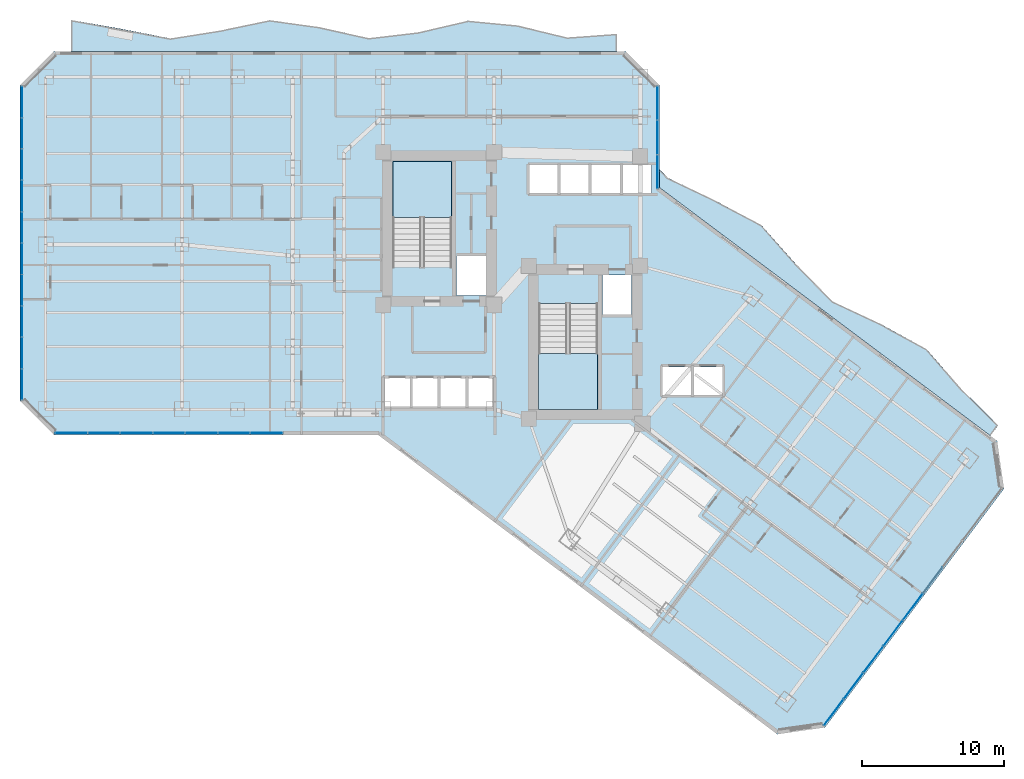
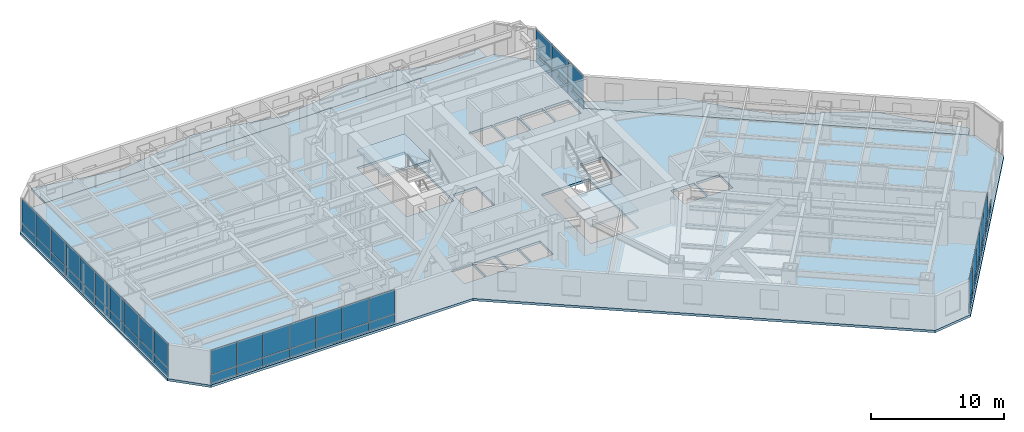
# One storey, part 20 of 33: 51 plates, 5 slabs, 6 elements without a shape of their own.
"""IFC4 building model written with IfcOpenShell, lengths in metres."""

from ifc_helpers import new_model, si_unit, direction, frame, origin, origin_2d, place, context, subcontext, project, spatial, polyline, rectangle, outline, extrude, material, layer, layer_set, type_object, element, aggregate, save


model = new_model("IFC4")

# Units and contexts
model_context = context("Model", 3, precision=1e-05, world=origin(), true_north=direction((0.0, 1.0)))
body_context = subcontext(model_context, "Body", "Model", "MODEL_VIEW")
ifc_project = project(units=[si_unit("LENGTHUNIT", "METRE"), si_unit("AREAUNIT", "SQUARE_METRE"), si_unit("VOLUMEUNIT", "CUBIC_METRE"), si_unit("PLANEANGLEUNIT", "RADIAN"), si_unit("MASSUNIT", "GRAM", prefix="KILO")], contexts=[model_context])

# Site, building, storey
site_placement = place(None, origin())
site = spatial("IfcSite", under=ifc_project, at=site_placement, CompositionType="ELEMENT")
building_placement = place(site_placement, origin())
building = spatial("IfcBuilding", under=site, at=building_placement, Name="Hatsunagi Terrace Concourse", CompositionType="ELEMENT")
storey_placement = place(building_placement, frame((0.0, 0.0, 43.300048828125)))
storey = spatial("IfcBuildingStorey", under=building, at=storey_placement, Name="L10", CompositionType="ELEMENT", Elevation=43.300048828125)

# Curtain wall, plates
ifc_material_1 = material(Name="Anodised Aluminium Alloy 6063-T5", Category="aluminium")
ifc_layer_1 = layer(ifc_material_1, 0.199951171875)
ifc_layer_set_1 = layer_set([ifc_layer_1], Name="HotelFacade_CW02")
curtain_wall_type = type_object("IfcCurtainWallType", Name="HotelFacade_CW02", PredefinedType="NOTDEFINED", material=ifc_layer_set_1)
curtain_wall_1_placement = place(storey_placement, origin())
curtain_wall_1 = element("IfcCurtainWall", 1, at=curtain_wall_1_placement, inside=storey, type_object=curtain_wall_type, Name="Unitised Curtain Wall CW-02 CW-L10-03", PredefinedType="NOTDEFINED")
ifc_material_2 = material(Name="Warm Terracotta Ceramic Spandrel Panel", Category="masonry")
ifc_layer_2 = layer(ifc_material_2, 0.031982421875)
ifc_layer_set_2 = layer_set([ifc_layer_2], Name="CurtainWallSpandrelPanel_32")
plate_type_1 = type_object("IfcPlateType", Name="CurtainWallSpandrelPanel_32", PredefinedType="SHEET", material=ifc_layer_set_2)
plate_1_placement = place(storey_placement, frame((64.219970703125, 13.159912109375, 0.030029296875), z_axis=(0.0, 0.0, 1.0), x_axis=(-0.599969314634, -0.800023013105, 0.0)))
plate_1 = element("IfcPlate", 2, at=plate_1_placement, type_object=plate_type_1, Name="Terracotta Spandrel Panel SPN-01", PredefinedType="SHEET", context=body_context, shape_type="SweptSolid", body=[
    extrude(rectangle(XDim=2.264892578125, YDim=0.031982421875, at=origin_2d()), origin(), (0.0, 0.0, 1.0), 0.7900390625),
])
plate_2_placement = place(storey_placement, frame((62.827880859375, 11.303955078125, 0.030029296875), z_axis=(0.0, 0.0, 1.0), x_axis=(-0.599969314634, -0.800023013105, 0.0)))
plate_2 = element("IfcPlate", 3, at=plate_2_placement, type_object=plate_type_1, Name="Terracotta Spandrel Panel SPN-01", PredefinedType="SHEET", context=body_context, shape_type="SweptSolid", body=[
    extrude(rectangle(XDim=2.264892578125, YDim=0.031982421875, at=origin_2d()), origin(), (0.0, 0.0, 1.0), 0.7900390625),
])
plate_3_placement = place(storey_placement, frame((61.43603515625, 9.447998046875, 0.030029296875), z_axis=(0.0, 0.0, 1.0), x_axis=(-0.599969314634, -0.800023013105, 0.0)))
plate_3 = element("IfcPlate", 4, at=plate_3_placement, type_object=plate_type_1, Name="Terracotta Spandrel Panel SPN-01", PredefinedType="SHEET", context=body_context, shape_type="SweptSolid", body=[
    extrude(rectangle(XDim=2.264892578125, YDim=0.031982421875, at=origin_2d()), origin(), (0.0, 0.0, 1.0), 0.7900390625),
])
plate_4_placement = place(storey_placement, frame((60.0439453125, 7.591064453125, 0.030029296875), z_axis=(0.0, 0.0, 1.0), x_axis=(-0.599969314634, -0.800023013105, 0.0)))
plate_4 = element("IfcPlate", 5, at=plate_4_placement, type_object=plate_type_1, Name="Terracotta Spandrel Panel SPN-01", PredefinedType="SHEET", context=body_context, shape_type="SweptSolid", body=[
    extrude(rectangle(XDim=2.264892578125, YDim=0.031982421875, at=origin_2d()), origin(), (0.0, 0.0, 1.0), 0.7900390625),
])
plate_5_placement = place(storey_placement, frame((58.65087890625, 5.735107421875, 0.030029296875), z_axis=(0.0, 0.0, 1.0), x_axis=(-0.599969314634, -0.800023013105, 0.0)))
plate_5 = element("IfcPlate", 6, at=plate_5_placement, type_object=plate_type_1, Name="Terracotta Spandrel Panel SPN-01", PredefinedType="SHEET", context=body_context, shape_type="SweptSolid", body=[
    extrude(rectangle(XDim=2.264892578125, YDim=0.031982421875, at=origin_2d()), origin(), (0.0, 0.0, 1.0), 0.7900390625),
])
plate_6_placement = place(storey_placement, frame((57.259033203125, 3.8779296875, 0.030029296875), z_axis=(0.0, 0.0, 1.0), x_axis=(-0.599969314634, -0.800023013105, 0.0)))
plate_6 = element("IfcPlate", 7, at=plate_6_placement, type_object=plate_type_1, Name="Terracotta Spandrel Panel SPN-01", PredefinedType="SHEET", context=body_context, shape_type="SweptSolid", body=[
    extrude(rectangle(XDim=2.264892578125, YDim=0.031982421875, at=origin_2d()), origin(), (0.0, 0.0, 1.0), 0.7900390625),
])

curtain_wall_2_placement = place(storey_placement, origin())
curtain_wall_2 = element("IfcCurtainWall", 8, at=curtain_wall_2_placement, inside=storey, type_object=curtain_wall_type, Name="Unitised Curtain Wall CW-02 CW-L10-07", PredefinedType="NOTDEFINED")
plate_7_placement = place(storey_placement, frame((17.35400390625, 23.5400390625, 0.030029296875), z_axis=(0.0, 0.0, 1.0), x_axis=(-1.0, 0.0, 0.0)))
plate_7 = element("IfcPlate", 9, at=plate_7_placement, type_object=plate_type_1, Name="Terracotta Spandrel Panel SPN-01", PredefinedType="SHEET", context=body_context, shape_type="SweptSolid", body=[
    extrude(rectangle(XDim=2.237060546875, YDim=0.031982421875, at=origin_2d()), origin(), (0.0, 0.0, 1.0), 0.7900390625),
])
plate_8_placement = place(storey_placement, frame((15.06201171875, 23.5400390625, 0.030029296875), z_axis=(0.0, 0.0, 1.0), x_axis=(-1.0, 0.0, 0.0)))
plate_8 = element("IfcPlate", 10, at=plate_8_placement, type_object=plate_type_1, Name="Terracotta Spandrel Panel SPN-01", PredefinedType="SHEET", context=body_context, shape_type="SweptSolid", body=[
    extrude(rectangle(XDim=2.237060546875, YDim=0.031982421875, at=origin_2d()), origin(), (0.0, 0.0, 1.0), 0.7900390625),
])
plate_9_placement = place(storey_placement, frame((12.77099609375, 23.5400390625, 0.030029296875), z_axis=(0.0, 0.0, 1.0), x_axis=(-1.0, 0.0, 0.0)))
plate_9 = element("IfcPlate", 11, at=plate_9_placement, type_object=plate_type_1, Name="Terracotta Spandrel Panel SPN-01", PredefinedType="SHEET", context=body_context, shape_type="SweptSolid", body=[
    extrude(rectangle(XDim=2.237060546875, YDim=0.031982421875, at=origin_2d()), origin(), (0.0, 0.0, 1.0), 0.7900390625),
])
plate_10_placement = place(storey_placement, frame((10.47900390625, 23.5400390625, 0.030029296875), z_axis=(0.0, 0.0, 1.0), x_axis=(-1.0, 0.0, 0.0)))
plate_10 = element("IfcPlate", 12, at=plate_10_placement, type_object=plate_type_1, Name="Terracotta Spandrel Panel SPN-01", PredefinedType="SHEET", context=body_context, shape_type="SweptSolid", body=[
    extrude(rectangle(XDim=2.237060546875, YDim=0.031982421875, at=origin_2d()), origin(), (0.0, 0.0, 1.0), 0.7900390625),
])
plate_11_placement = place(storey_placement, frame((8.18701171875, 23.5400390625, 0.030029296875), z_axis=(0.0, 0.0, 1.0), x_axis=(-1.0, 0.0, 0.0)))
plate_11 = element("IfcPlate", 13, at=plate_11_placement, type_object=plate_type_1, Name="Terracotta Spandrel Panel SPN-01", PredefinedType="SHEET", context=body_context, shape_type="SweptSolid", body=[
    extrude(rectangle(XDim=2.237060546875, YDim=0.031982421875, at=origin_2d()), origin(), (0.0, 0.0, 1.0), 0.7900390625),
])
plate_12_placement = place(storey_placement, frame((5.89599609375, 23.5400390625, 0.030029296875), z_axis=(0.0, 0.0, 1.0), x_axis=(-1.0, 0.0, 0.0)))
plate_12 = element("IfcPlate", 14, at=plate_12_placement, type_object=plate_type_1, Name="Terracotta Spandrel Panel SPN-01", PredefinedType="SHEET", context=body_context, shape_type="SweptSolid", body=[
    extrude(rectangle(XDim=2.237060546875, YDim=0.031982421875, at=origin_2d()), origin(), (0.0, 0.0, 1.0), 0.7900390625),
])
plate_13_placement = place(storey_placement, frame((3.60400390625, 23.5400390625, 0.030029296875), z_axis=(0.0, 0.0, 1.0), x_axis=(-1.0, 0.0, 0.0)))
plate_13 = element("IfcPlate", 15, at=plate_13_placement, type_object=plate_type_1, Name="Terracotta Spandrel Panel SPN-01", PredefinedType="SHEET", context=body_context, shape_type="SweptSolid", body=[
    extrude(rectangle(XDim=2.237060546875, YDim=0.031982421875, at=origin_2d()), origin(), (0.0, 0.0, 1.0), 0.7900390625),
])

curtain_wall_3_placement = place(storey_placement, origin())
curtain_wall_3 = element("IfcCurtainWall", 16, at=curtain_wall_3_placement, inside=storey, type_object=curtain_wall_type, Name="Unitised Curtain Wall CW-02 CW-L10-09", PredefinedType="NOTDEFINED")
plate_14_placement = place(storey_placement, frame((0.139892578125, 26.9619140625, 0.030029296875), z_axis=(0.0, 0.0, 1.0), x_axis=(0.0, 1.0, 0.0)))
plate_14 = element("IfcPlate", 17, at=plate_14_placement, type_object=plate_type_1, Name="Terracotta Spandrel Panel SPN-01", PredefinedType="SHEET", context=body_context, shape_type="SweptSolid", body=[
    extrude(rectangle(XDim=2.153076171875, YDim=0.031982421875, at=origin_2d()), origin(), (0.0, 0.0, 1.0), 0.7900390625),
])
plate_15_placement = place(storey_placement, frame((0.139892578125, 29.1708984375, 0.030029296875), z_axis=(0.0, 0.0, 1.0), x_axis=(0.0, 1.0, 0.0)))
plate_15 = element("IfcPlate", 18, at=plate_15_placement, type_object=plate_type_1, Name="Terracotta Spandrel Panel SPN-01", PredefinedType="SHEET", context=body_context, shape_type="SweptSolid", body=[
    extrude(rectangle(XDim=2.153076171875, YDim=0.031982421875, at=origin_2d()), origin(), (0.0, 0.0, 1.0), 0.7900390625),
])
plate_16_placement = place(storey_placement, frame((0.139892578125, 31.37890625, 0.030029296875), z_axis=(0.0, 0.0, 1.0), x_axis=(0.0, 1.0, 0.0)))
plate_16 = element("IfcPlate", 19, at=plate_16_placement, type_object=plate_type_1, Name="Terracotta Spandrel Panel SPN-01", PredefinedType="SHEET", context=body_context, shape_type="SweptSolid", body=[
    extrude(rectangle(XDim=2.153076171875, YDim=0.031982421875, at=origin_2d()), origin(), (0.0, 0.0, 1.0), 0.7900390625),
])
plate_17_placement = place(storey_placement, frame((0.139892578125, 33.5869140625, 0.030029296875), z_axis=(0.0, 0.0, 1.0), x_axis=(0.0, 1.0, 0.0)))
plate_17 = element("IfcPlate", 20, at=plate_17_placement, type_object=plate_type_1, Name="Terracotta Spandrel Panel SPN-01", PredefinedType="SHEET", context=body_context, shape_type="SweptSolid", body=[
    extrude(rectangle(XDim=2.153076171875, YDim=0.031982421875, at=origin_2d()), origin(), (0.0, 0.0, 1.0), 0.7900390625),
])
plate_18_placement = place(storey_placement, frame((0.139892578125, 35.7958984375, 0.030029296875), z_axis=(0.0, 0.0, 1.0), x_axis=(0.0, 1.0, 0.0)))
plate_18 = element("IfcPlate", 21, at=plate_18_placement, type_object=plate_type_1, Name="Terracotta Spandrel Panel SPN-01", PredefinedType="SHEET", context=body_context, shape_type="SweptSolid", body=[
    extrude(rectangle(XDim=2.153076171875, YDim=0.031982421875, at=origin_2d()), origin(), (0.0, 0.0, 1.0), 0.7900390625),
])
plate_19_placement = place(storey_placement, frame((0.139892578125, 38.00390625, 0.030029296875), z_axis=(0.0, 0.0, 1.0), x_axis=(0.0, 1.0, 0.0)))
plate_19 = element("IfcPlate", 22, at=plate_19_placement, type_object=plate_type_1, Name="Terracotta Spandrel Panel SPN-01", PredefinedType="SHEET", context=body_context, shape_type="SweptSolid", body=[
    extrude(rectangle(XDim=2.153076171875, YDim=0.031982421875, at=origin_2d()), origin(), (0.0, 0.0, 1.0), 0.7900390625),
])
plate_20_placement = place(storey_placement, frame((0.139892578125, 40.212890625, 0.030029296875), z_axis=(0.0, 0.0, 1.0), x_axis=(0.0, 1.0, 0.0)))
plate_20 = element("IfcPlate", 23, at=plate_20_placement, type_object=plate_type_1, Name="Terracotta Spandrel Panel SPN-01", PredefinedType="SHEET", context=body_context, shape_type="SweptSolid", body=[
    extrude(rectangle(XDim=2.153076171875, YDim=0.031982421875, at=origin_2d()), origin(), (0.0, 0.0, 1.0), 0.7900390625),
])
plate_21_placement = place(storey_placement, frame((0.139892578125, 42.4208984375, 0.030029296875), z_axis=(0.0, 0.0, 1.0), x_axis=(0.0, 1.0, 0.0)))
plate_21 = element("IfcPlate", 24, at=plate_21_placement, type_object=plate_type_1, Name="Terracotta Spandrel Panel SPN-01", PredefinedType="SHEET", context=body_context, shape_type="SweptSolid", body=[
    extrude(rectangle(XDim=2.153076171875, YDim=0.031982421875, at=origin_2d()), origin(), (0.0, 0.0, 1.0), 0.7900390625),
])
plate_22_placement = place(storey_placement, frame((0.139892578125, 44.62890625, 0.030029296875), z_axis=(0.0, 0.0, 1.0), x_axis=(0.0, 1.0, 0.0)))
plate_22 = element("IfcPlate", 25, at=plate_22_placement, type_object=plate_type_1, Name="Terracotta Spandrel Panel SPN-01", PredefinedType="SHEET", context=body_context, shape_type="SweptSolid", body=[
    extrude(rectangle(XDim=2.153076171875, YDim=0.031982421875, at=origin_2d()), origin(), (0.0, 0.0, 1.0), 0.7900390625),
])
plate_23_placement = place(storey_placement, frame((0.139892578125, 46.837890625, 0.030029296875), z_axis=(0.0, 0.0, 1.0), x_axis=(0.0, 1.0, 0.0)))
plate_23 = element("IfcPlate", 26, at=plate_23_placement, type_object=plate_type_1, Name="Terracotta Spandrel Panel SPN-01", PredefinedType="SHEET", context=body_context, shape_type="SweptSolid", body=[
    extrude(rectangle(XDim=2.153076171875, YDim=0.031982421875, at=origin_2d()), origin(), (0.0, 0.0, 1.0), 0.7900390625),
])

curtain_wall_4_placement = place(storey_placement, origin())
curtain_wall_4 = element("IfcCurtainWall", 27, at=curtain_wall_4_placement, inside=storey, type_object=curtain_wall_type, Name="Unitised Curtain Wall CW-02 CW-L10-13", PredefinedType="NOTDEFINED")
plate_24_placement = place(storey_placement, frame((44.860107421875, 46.739990234375, 0.030029296875), z_axis=(0.0, 0.0, 1.0), x_axis=(0.0, -1.0, 0.0)))
plate_24 = element("IfcPlate", 28, at=plate_24_placement, type_object=plate_type_1, Name="Terracotta Spandrel Panel SPN-01", PredefinedType="SHEET", context=body_context, shape_type="SweptSolid", body=[
    extrude(rectangle(XDim=2.34912109375, YDim=0.031982421875, at=origin_2d()), origin(), (0.0, 0.0, 1.0), 0.7900390625),
])
plate_25_placement = place(storey_placement, frame((44.860107421875, 44.3359375, 0.030029296875), z_axis=(0.0, 0.0, 1.0), x_axis=(0.0, -1.0, 0.0)))
plate_25 = element("IfcPlate", 29, at=plate_25_placement, type_object=plate_type_1, Name="Terracotta Spandrel Panel SPN-01", PredefinedType="SHEET", context=body_context, shape_type="SweptSolid", body=[
    extrude(rectangle(XDim=2.34912109375, YDim=0.031982421875, at=origin_2d()), origin(), (0.0, 0.0, 1.0), 0.7900390625),
])
plate_26_placement = place(storey_placement, frame((44.860107421875, 41.931884765625, 0.030029296875), z_axis=(0.0, 0.0, 1.0), x_axis=(0.0, -1.0, 0.0)))
plate_26 = element("IfcPlate", 30, at=plate_26_placement, type_object=plate_type_1, Name="Terracotta Spandrel Panel SPN-01", PredefinedType="SHEET", context=body_context, shape_type="SweptSolid", body=[
    extrude(rectangle(XDim=2.34912109375, YDim=0.031982421875, at=origin_2d()), origin(), (0.0, 0.0, 1.0), 0.7900390625),
])

# Plate
ifc_material_3 = material(Name="Low-E Double Insulating Glass 28mm", Category="glass")
ifc_layer_3 = layer(ifc_material_3, 0.028076171875)
ifc_layer_set_3 = layer_set([ifc_layer_3], Name="CurtainWallVisionGlass_28")
plate_type_2 = type_object("IfcPlateType", Name="CurtainWallVisionGlass_28", PredefinedType="CURTAIN_PANEL", material=ifc_layer_set_3)
plate_27_placement = place(storey_placement, frame((62.827880859375, 11.303955078125, 0.8798828125), z_axis=(0.0, 0.0, 1.0), x_axis=(-0.599969314634, -0.800023013105, 0.0)))
plate_27 = element("IfcPlate", 31, at=plate_27_placement, type_object=plate_type_2, Name="Low-E Vision Glass Panel GLZ-01", PredefinedType="CURTAIN_PANEL", context=body_context, shape_type="SweptSolid", body=[
    extrude(rectangle(XDim=2.264892578125, YDim=0.028076171875, at=origin_2d()), origin(), (0.0, 0.0, 1.0), 2.219970703125),
])

plate_28_placement = place(storey_placement, frame((61.43603515625, 9.447998046875, 0.8798828125), z_axis=(0.0, 0.0, 1.0), x_axis=(-0.599969314634, -0.800023013105, 0.0)))
plate_28 = element("IfcPlate", 32, at=plate_28_placement, type_object=plate_type_2, Name="Low-E Vision Glass Panel GLZ-01", PredefinedType="CURTAIN_PANEL", context=body_context, shape_type="SweptSolid", body=[
    extrude(rectangle(XDim=2.264892578125, YDim=0.028076171875, at=origin_2d()), origin(), (0.0, 0.0, 1.0), 2.219970703125),
])

plate_29_placement = place(storey_placement, frame((60.0439453125, 7.591064453125, 0.8798828125), z_axis=(0.0, 0.0, 1.0), x_axis=(-0.599969314634, -0.800023013105, 0.0)))
plate_29 = element("IfcPlate", 33, at=plate_29_placement, type_object=plate_type_2, Name="Low-E Vision Glass Panel GLZ-01", PredefinedType="CURTAIN_PANEL", context=body_context, shape_type="SweptSolid", body=[
    extrude(rectangle(XDim=2.264892578125, YDim=0.028076171875, at=origin_2d()), origin(), (0.0, 0.0, 1.0), 2.219970703125),
])

plate_30_placement = place(storey_placement, frame((58.65087890625, 5.735107421875, 0.8798828125), z_axis=(0.0, 0.0, 1.0), x_axis=(-0.599969314634, -0.800023013105, 0.0)))
plate_30 = element("IfcPlate", 34, at=plate_30_placement, type_object=plate_type_2, Name="Low-E Vision Glass Panel GLZ-01", PredefinedType="CURTAIN_PANEL", context=body_context, shape_type="SweptSolid", body=[
    extrude(rectangle(XDim=2.264892578125, YDim=0.028076171875, at=origin_2d()), origin(), (0.0, 0.0, 1.0), 2.219970703125),
])

plate_31_placement = place(storey_placement, frame((57.259033203125, 3.8779296875, 0.8798828125), z_axis=(0.0, 0.0, 1.0), x_axis=(-0.599969314634, -0.800023013105, 0.0)))
plate_31 = element("IfcPlate", 35, at=plate_31_placement, type_object=plate_type_2, Name="Low-E Vision Glass Panel GLZ-01", PredefinedType="CURTAIN_PANEL", context=body_context, shape_type="SweptSolid", body=[
    extrude(rectangle(XDim=2.264892578125, YDim=0.028076171875, at=origin_2d()), origin(), (0.0, 0.0, 1.0), 2.219970703125),
])

aggregate(curtain_wall_1, [plate_1, plate_2, plate_27, plate_3, plate_28, plate_4, plate_29, plate_5, plate_30, plate_6, plate_31])

plate_32_placement = place(storey_placement, frame((17.35400390625, 23.5400390625, 0.8798828125), z_axis=(0.0, 0.0, 1.0), x_axis=(-1.0, 0.0, 0.0)))
plate_32 = element("IfcPlate", 36, at=plate_32_placement, type_object=plate_type_2, Name="Low-E Vision Glass Panel GLZ-01", PredefinedType="CURTAIN_PANEL", context=body_context, shape_type="SweptSolid", body=[
    extrude(rectangle(XDim=2.237060546875, YDim=0.028076171875, at=origin_2d()), origin(), (0.0, 0.0, 1.0), 2.219970703125),
])

plate_33_placement = place(storey_placement, frame((15.06201171875, 23.5400390625, 0.8798828125), z_axis=(0.0, 0.0, 1.0), x_axis=(-1.0, 0.0, 0.0)))
plate_33 = element("IfcPlate", 37, at=plate_33_placement, type_object=plate_type_2, Name="Low-E Vision Glass Panel GLZ-01", PredefinedType="CURTAIN_PANEL", context=body_context, shape_type="SweptSolid", body=[
    extrude(rectangle(XDim=2.237060546875, YDim=0.028076171875, at=origin_2d()), origin(), (0.0, 0.0, 1.0), 2.219970703125),
])

plate_34_placement = place(storey_placement, frame((12.77099609375, 23.5400390625, 0.8798828125), z_axis=(0.0, 0.0, 1.0), x_axis=(-1.0, 0.0, 0.0)))
plate_34 = element("IfcPlate", 38, at=plate_34_placement, type_object=plate_type_2, Name="Low-E Vision Glass Panel GLZ-01", PredefinedType="CURTAIN_PANEL", context=body_context, shape_type="SweptSolid", body=[
    extrude(rectangle(XDim=2.237060546875, YDim=0.028076171875, at=origin_2d()), origin(), (0.0, 0.0, 1.0), 2.219970703125),
])

plate_35_placement = place(storey_placement, frame((10.47900390625, 23.5400390625, 0.8798828125), z_axis=(0.0, 0.0, 1.0), x_axis=(-1.0, 0.0, 0.0)))
plate_35 = element("IfcPlate", 39, at=plate_35_placement, type_object=plate_type_2, Name="Low-E Vision Glass Panel GLZ-01", PredefinedType="CURTAIN_PANEL", context=body_context, shape_type="SweptSolid", body=[
    extrude(rectangle(XDim=2.237060546875, YDim=0.028076171875, at=origin_2d()), origin(), (0.0, 0.0, 1.0), 2.219970703125),
])

plate_36_placement = place(storey_placement, frame((8.18701171875, 23.5400390625, 0.8798828125), z_axis=(0.0, 0.0, 1.0), x_axis=(-1.0, 0.0, 0.0)))
plate_36 = element("IfcPlate", 40, at=plate_36_placement, type_object=plate_type_2, Name="Low-E Vision Glass Panel GLZ-01", PredefinedType="CURTAIN_PANEL", context=body_context, shape_type="SweptSolid", body=[
    extrude(rectangle(XDim=2.237060546875, YDim=0.028076171875, at=origin_2d()), origin(), (0.0, 0.0, 1.0), 2.219970703125),
])

plate_37_placement = place(storey_placement, frame((5.89599609375, 23.5400390625, 0.8798828125), z_axis=(0.0, 0.0, 1.0), x_axis=(-1.0, 0.0, 0.0)))
plate_37 = element("IfcPlate", 41, at=plate_37_placement, type_object=plate_type_2, Name="Low-E Vision Glass Panel GLZ-01", PredefinedType="CURTAIN_PANEL", context=body_context, shape_type="SweptSolid", body=[
    extrude(rectangle(XDim=2.237060546875, YDim=0.028076171875, at=origin_2d()), origin(), (0.0, 0.0, 1.0), 2.219970703125),
])

plate_38_placement = place(storey_placement, frame((3.60400390625, 23.5400390625, 0.8798828125), z_axis=(0.0, 0.0, 1.0), x_axis=(-1.0, 0.0, 0.0)))
plate_38 = element("IfcPlate", 42, at=plate_38_placement, type_object=plate_type_2, Name="Low-E Vision Glass Panel GLZ-01", PredefinedType="CURTAIN_PANEL", context=body_context, shape_type="SweptSolid", body=[
    extrude(rectangle(XDim=2.237060546875, YDim=0.028076171875, at=origin_2d()), origin(), (0.0, 0.0, 1.0), 2.219970703125),
])

aggregate(curtain_wall_2, [plate_7, plate_32, plate_8, plate_33, plate_9, plate_34, plate_10, plate_35, plate_11, plate_36, plate_12, plate_37, plate_13, plate_38])

plate_39_placement = place(storey_placement, frame((0.139892578125, 26.9619140625, 0.8798828125), z_axis=(0.0, 0.0, 1.0), x_axis=(0.0, 1.0, 0.0)))
plate_39 = element("IfcPlate", 43, at=plate_39_placement, type_object=plate_type_2, Name="Low-E Vision Glass Panel GLZ-01", PredefinedType="CURTAIN_PANEL", context=body_context, shape_type="SweptSolid", body=[
    extrude(rectangle(XDim=2.153076171875, YDim=0.028076171875, at=origin_2d()), origin(), (0.0, 0.0, 1.0), 2.219970703125),
])

plate_40_placement = place(storey_placement, frame((0.139892578125, 29.1708984375, 0.8798828125), z_axis=(0.0, 0.0, 1.0), x_axis=(0.0, 1.0, 0.0)))
plate_40 = element("IfcPlate", 44, at=plate_40_placement, type_object=plate_type_2, Name="Low-E Vision Glass Panel GLZ-01", PredefinedType="CURTAIN_PANEL", context=body_context, shape_type="SweptSolid", body=[
    extrude(rectangle(XDim=2.153076171875, YDim=0.028076171875, at=origin_2d()), origin(), (0.0, 0.0, 1.0), 2.219970703125),
])

plate_41_placement = place(storey_placement, frame((0.139892578125, 31.37890625, 0.8798828125), z_axis=(0.0, 0.0, 1.0), x_axis=(0.0, 1.0, 0.0)))
plate_41 = element("IfcPlate", 45, at=plate_41_placement, type_object=plate_type_2, Name="Low-E Vision Glass Panel GLZ-01", PredefinedType="CURTAIN_PANEL", context=body_context, shape_type="SweptSolid", body=[
    extrude(rectangle(XDim=2.153076171875, YDim=0.028076171875, at=origin_2d()), origin(), (0.0, 0.0, 1.0), 2.219970703125),
])

plate_42_placement = place(storey_placement, frame((0.139892578125, 33.5869140625, 0.8798828125), z_axis=(0.0, 0.0, 1.0), x_axis=(0.0, 1.0, 0.0)))
plate_42 = element("IfcPlate", 46, at=plate_42_placement, type_object=plate_type_2, Name="Low-E Vision Glass Panel GLZ-01", PredefinedType="CURTAIN_PANEL", context=body_context, shape_type="SweptSolid", body=[
    extrude(rectangle(XDim=2.153076171875, YDim=0.028076171875, at=origin_2d()), origin(), (0.0, 0.0, 1.0), 2.219970703125),
])

plate_43_placement = place(storey_placement, frame((0.139892578125, 35.7958984375, 0.8798828125), z_axis=(0.0, 0.0, 1.0), x_axis=(0.0, 1.0, 0.0)))
plate_43 = element("IfcPlate", 47, at=plate_43_placement, type_object=plate_type_2, Name="Low-E Vision Glass Panel GLZ-01", PredefinedType="CURTAIN_PANEL", context=body_context, shape_type="SweptSolid", body=[
    extrude(rectangle(XDim=2.153076171875, YDim=0.028076171875, at=origin_2d()), origin(), (0.0, 0.0, 1.0), 2.219970703125),
])

plate_44_placement = place(storey_placement, frame((0.139892578125, 38.00390625, 0.8798828125), z_axis=(0.0, 0.0, 1.0), x_axis=(0.0, 1.0, 0.0)))
plate_44 = element("IfcPlate", 48, at=plate_44_placement, type_object=plate_type_2, Name="Low-E Vision Glass Panel GLZ-01", PredefinedType="CURTAIN_PANEL", context=body_context, shape_type="SweptSolid", body=[
    extrude(rectangle(XDim=2.153076171875, YDim=0.028076171875, at=origin_2d()), origin(), (0.0, 0.0, 1.0), 2.219970703125),
])

plate_45_placement = place(storey_placement, frame((0.139892578125, 40.212890625, 0.8798828125), z_axis=(0.0, 0.0, 1.0), x_axis=(0.0, 1.0, 0.0)))
plate_45 = element("IfcPlate", 49, at=plate_45_placement, type_object=plate_type_2, Name="Low-E Vision Glass Panel GLZ-01", PredefinedType="CURTAIN_PANEL", context=body_context, shape_type="SweptSolid", body=[
    extrude(rectangle(XDim=2.153076171875, YDim=0.028076171875, at=origin_2d()), origin(), (0.0, 0.0, 1.0), 2.219970703125),
])

plate_46_placement = place(storey_placement, frame((0.139892578125, 42.4208984375, 0.8798828125), z_axis=(0.0, 0.0, 1.0), x_axis=(0.0, 1.0, 0.0)))
plate_46 = element("IfcPlate", 50, at=plate_46_placement, type_object=plate_type_2, Name="Low-E Vision Glass Panel GLZ-01", PredefinedType="CURTAIN_PANEL", context=body_context, shape_type="SweptSolid", body=[
    extrude(rectangle(XDim=2.153076171875, YDim=0.028076171875, at=origin_2d()), origin(), (0.0, 0.0, 1.0), 2.219970703125),
])

plate_47_placement = place(storey_placement, frame((0.139892578125, 44.62890625, 0.8798828125), z_axis=(0.0, 0.0, 1.0), x_axis=(0.0, 1.0, 0.0)))
plate_47 = element("IfcPlate", 51, at=plate_47_placement, type_object=plate_type_2, Name="Low-E Vision Glass Panel GLZ-01", PredefinedType="CURTAIN_PANEL", context=body_context, shape_type="SweptSolid", body=[
    extrude(rectangle(XDim=2.153076171875, YDim=0.028076171875, at=origin_2d()), origin(), (0.0, 0.0, 1.0), 2.219970703125),
])

plate_48_placement = place(storey_placement, frame((0.139892578125, 46.837890625, 0.8798828125), z_axis=(0.0, 0.0, 1.0), x_axis=(0.0, 1.0, 0.0)))
plate_48 = element("IfcPlate", 52, at=plate_48_placement, type_object=plate_type_2, Name="Low-E Vision Glass Panel GLZ-01", PredefinedType="CURTAIN_PANEL", context=body_context, shape_type="SweptSolid", body=[
    extrude(rectangle(XDim=2.153076171875, YDim=0.028076171875, at=origin_2d()), origin(), (0.0, 0.0, 1.0), 2.219970703125),
])

aggregate(curtain_wall_3, [plate_14, plate_39, plate_15, plate_40, plate_16, plate_41, plate_17, plate_42, plate_18, plate_43, plate_19, plate_44, plate_20, plate_45, plate_21, plate_46, plate_22, plate_47, plate_23, plate_48])

plate_49_placement = place(storey_placement, frame((44.860107421875, 46.739990234375, 0.8798828125), z_axis=(0.0, 0.0, 1.0), x_axis=(0.0, -1.0, 0.0)))
plate_49 = element("IfcPlate", 53, at=plate_49_placement, type_object=plate_type_2, Name="Low-E Vision Glass Panel GLZ-01", PredefinedType="CURTAIN_PANEL", context=body_context, shape_type="SweptSolid", body=[
    extrude(rectangle(XDim=2.34912109375, YDim=0.028076171875, at=origin_2d()), origin(), (0.0, 0.0, 1.0), 2.219970703125),
])

plate_50_placement = place(storey_placement, frame((44.860107421875, 44.3359375, 0.8798828125), z_axis=(0.0, 0.0, 1.0), x_axis=(0.0, -1.0, 0.0)))
plate_50 = element("IfcPlate", 54, at=plate_50_placement, type_object=plate_type_2, Name="Low-E Vision Glass Panel GLZ-01", PredefinedType="CURTAIN_PANEL", context=body_context, shape_type="SweptSolid", body=[
    extrude(rectangle(XDim=2.34912109375, YDim=0.028076171875, at=origin_2d()), origin(), (0.0, 0.0, 1.0), 2.219970703125),
])

plate_51_placement = place(storey_placement, frame((44.860107421875, 41.931884765625, 0.8798828125), z_axis=(0.0, 0.0, 1.0), x_axis=(0.0, -1.0, 0.0)))
plate_51 = element("IfcPlate", 55, at=plate_51_placement, type_object=plate_type_2, Name="Low-E Vision Glass Panel GLZ-01", PredefinedType="CURTAIN_PANEL", context=body_context, shape_type="SweptSolid", body=[
    extrude(rectangle(XDim=2.34912109375, YDim=0.028076171875, at=origin_2d()), origin(), (0.0, 0.0, 1.0), 2.219970703125),
])

aggregate(curtain_wall_4, [plate_24, plate_49, plate_25, plate_50, plate_26, plate_51])

# Stair, slab
ifc_material_4 = material(Name="Concrete Fc42", Category="concrete")
stair_type = type_object("IfcStairType", Name="DoglegExitStair_Tower2000_20R_168", PredefinedType="HALF_TURN_STAIR", material=ifc_material_4)
stair_1_placement = place(storey_placement, origin())
stair_1 = element("IfcStair", 56, at=stair_1_placement, inside=storey, type_object=stair_type, Name="L10 Core A Protected Exit Stair ST-A", PredefinedType="HALF_TURN_STAIR")
ifc_material_5 = material(Name="Concrete Fc42", Category="concrete")
ifc_layer_4 = layer(ifc_material_5, 0.199951171875)
ifc_layer_set_4 = layer_set([ifc_layer_4], Name="DoglegStairLanding_Tower2000")
slab_type_1 = type_object("IfcSlabType", Name="DoglegStairLanding_Tower2000", PredefinedType="LANDING", material=ifc_layer_set_4)
slab_1_placement = place(storey_placement, frame((0.0, 0.0, 1.474853515625)))
slab_1 = element("IfcSlab", 57, at=slab_1_placement, type_object=slab_type_1, Name="ST-A landing 1", PredefinedType="LANDING", context=body_context, shape_type="SweptSolid", body=[
    extrude(outline(polyline([(30.3798828125, 38.7099609375), (30.3798828125, 42.659912109375), (26.22998046875, 42.659912109375), (26.22998046875, 38.7099609375), (30.3798828125, 38.7099609375)])), origin(), (0.0, 0.0, 1.0), 0.2001953125),
])
aggregate(stair_1, [slab_1])

stair_2_placement = place(storey_placement, origin())
stair_2 = element("IfcStair", 58, at=stair_2_placement, inside=storey, type_object=stair_type, Name="L10 Core B Protected Exit Stair ST-B", PredefinedType="HALF_TURN_STAIR")
slab_2_placement = place(storey_placement, frame((0.0, 0.0, 1.474853515625)))
slab_2 = element("IfcSlab", 59, at=slab_2_placement, type_object=slab_type_1, Name="ST-B landing 1", PredefinedType="LANDING", context=body_context, shape_type="SweptSolid", body=[
    extrude(outline(polyline([(36.5, 29.14990234375), (36.5, 25.199951171875), (40.64990234375, 25.199951171875), (40.64990234375, 29.14990234375), (36.5, 29.14990234375)])), origin(), (0.0, 0.0, 1.0), 0.2001953125),
])
aggregate(stair_2, [slab_2])

# Slabs
ifc_material_6 = material(Name="Concrete Fc42", Category="concrete")
ifc_layer_5 = layer(ifc_material_6, 0.199951171875)
ifc_layer_set_5 = layer_set([ifc_layer_5], Name="EngawaBalconySlab_Fc42_200")
slab_type_2 = type_object("IfcSlabType", Name="EngawaBalconySlab_Fc42_200", PredefinedType="FLOOR", material=ifc_layer_set_5)
slab_3_placement = place(storey_placement, frame((0.0, 0.0, -0.199951171875)))
element("IfcSlab", 60, at=slab_3_placement, inside=storey, type_object=slab_type_2, Name="Engawa Balcony Slab BAL-L10-BN", PredefinedType="FLOOR", context=body_context, shape_type="SweptSolid", body=[
    extrude(outline(polyline([(3.60009765625, 52.60009765625), (3.60009765625, 50.39990234375), (42.0, 50.39990234375), (42.0, 51.625), (38.509033203125, 51.3720703125), (35.01806640625, 52.219970703125), (31.527099609375, 52.552978515625), (28.035888671875, 51.737060546875), (24.544921875, 51.325927734375), (21.054931640625, 52.10302734375), (17.56396484375, 52.587890625), (14.072998046875, 51.85791015625), (10.58203125, 51.302978515625), (7.091064453125, 51.98095703125), (3.60009765625, 52.60009765625)])), origin(), (0.0, 0.0, 1.0), 0.199951171875),
])
slab_4_placement = place(storey_placement, frame((0.0, 0.0, -0.199951171875)))
element("IfcSlab", 61, at=slab_4_placement, inside=storey, type_object=slab_type_2, Name="Engawa Balcony Slab BAL-L10-BSE", PredefinedType="FLOOR", context=body_context, shape_type="SweptSolid", body=[
    extrude(outline(polyline([(45.569091796875, 41.5029296875), (44.99609375, 42.097900390625), (44.99609375, 40.802978515625), (68.280029296875, 23.340087890625), (68.8291015625, 24.072021484375), (66.22412109375, 26.655029296875), (63.780029296875, 29.450927734375), (60.55810546875, 31.2099609375), (57.197998046875, 32.787109375), (54.6201171875, 35.405029296875), (52.156982421875, 38.176025390625), (48.908935546875, 39.89990234375), (45.569091796875, 41.5029296875)])), origin(), (0.0, 0.0, 1.0), 0.199951171875),
])
ifc_material_7 = material(Name="Concrete Fc42", Category="concrete")
ifc_layer_6 = layer(ifc_material_7, 0.219970703125)
ifc_layer_set_6 = layer_set([ifc_layer_6], Name="HotelFloorSlab_Fc42_220")
slab_type_3 = type_object("IfcSlabType", Name="HotelFloorSlab_Fc42_220", PredefinedType="FLOOR", material=ifc_layer_set_6)
slab_5_placement = place(storey_placement, frame((0.0, 0.0, -0.219970703125)))
element("IfcSlab", 62, at=slab_5_placement, inside=storey, type_object=slab_type_3, Name="Floor Slab SL-220 L10", PredefinedType="FLOOR", context=body_context, shape_type="SweptSolid", body=[
    extrude(outline(polyline([(45.0, 40.800048828125), (45.0, 48.0), (42.60009765625, 50.39990234375), (2.39990234375, 50.39990234375), (0.0, 48.0), (0.0, 25.800048828125), (2.39990234375, 23.39990234375), (25.199951171875, 23.39990234375), (53.280029296875, 2.340087890625), (56.639892578125, 2.820068359375), (69.239990234375, 19.6201171875), (68.760009765625, 22.97998046875), (45.0, 40.800048828125)]), holes=[polyline([(26.22998046875, 35.205078125), (30.3798828125, 35.205078125), (30.3798828125, 42.659912109375), (26.22998046875, 42.659912109375), (26.22998046875, 35.205078125)]), polyline([(36.5, 25.199951171875), (40.64990234375, 25.199951171875), (40.64990234375, 32.655029296875), (36.5, 32.655029296875), (36.5, 25.199951171875)]), polyline([(30.719970703125, 33.219970703125), (32.780029296875, 33.219970703125), (32.780029296875, 35.97998046875), (30.719970703125, 35.97998046875), (30.719970703125, 33.219970703125)]), polyline([(40.97998046875, 31.8798828125), (43.02001953125, 31.8798828125), (43.02001953125, 34.639892578125), (40.97998046875, 34.639892578125), (40.97998046875, 31.8798828125)]), polyline([(25.6201171875, 25.39990234375), (27.47998046875, 25.39990234375), (27.47998046875, 27.39990234375), (25.6201171875, 27.39990234375), (25.6201171875, 25.39990234375)]), polyline([(27.580078125, 25.39990234375), (29.43994140625, 25.39990234375), (29.43994140625, 27.39990234375), (27.580078125, 27.39990234375), (27.580078125, 25.39990234375)]), polyline([(29.5400390625, 25.39990234375), (31.39990234375, 25.39990234375), (31.39990234375, 27.39990234375), (29.5400390625, 27.39990234375), (29.5400390625, 25.39990234375)]), polyline([(31.5, 25.39990234375), (33.360107421875, 25.39990234375), (33.360107421875, 27.39990234375), (31.5, 27.39990234375), (31.5, 25.39990234375)]), polyline([(35.800048828125, 40.39990234375), (37.85009765625, 40.39990234375), (37.85009765625, 42.39990234375), (35.800048828125, 42.39990234375), (35.800048828125, 40.39990234375)]), polyline([(38.0, 40.39990234375), (40.050048828125, 40.39990234375), (40.050048828125, 42.39990234375), (38.0, 42.39990234375), (38.0, 40.39990234375)]), polyline([(40.199951171875, 40.39990234375), (42.25, 40.39990234375), (42.25, 42.39990234375), (40.199951171875, 42.39990234375), (40.199951171875, 40.39990234375)]), polyline([(42.39990234375, 40.39990234375), (44.449951171875, 40.39990234375), (44.449951171875, 42.39990234375), (42.39990234375, 42.39990234375), (42.39990234375, 40.39990234375)]), polyline([(45.199951171875, 26.199951171875), (47.25, 26.199951171875), (47.25, 28.199951171875), (45.199951171875, 28.199951171875), (45.199951171875, 26.199951171875)]), polyline([(47.39990234375, 26.199951171875), (49.449951171875, 26.199951171875), (49.449951171875, 28.199951171875), (47.39990234375, 28.199951171875), (47.39990234375, 26.199951171875)])]), origin(), (0.0, 0.0, 1.0), 0.219970703125),
])

save(model, "model.ifc")
